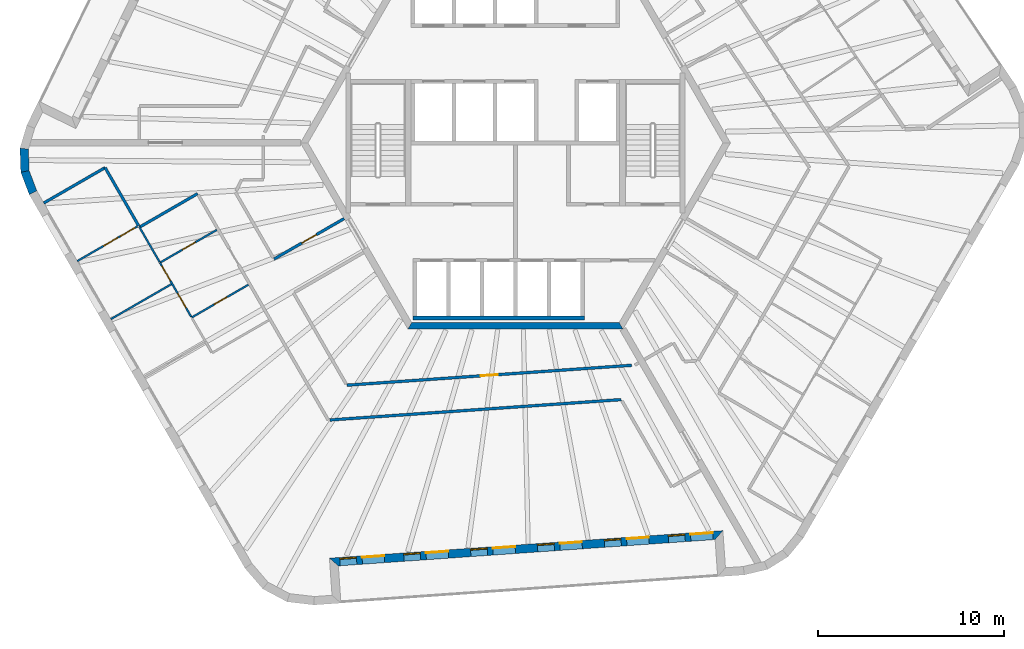
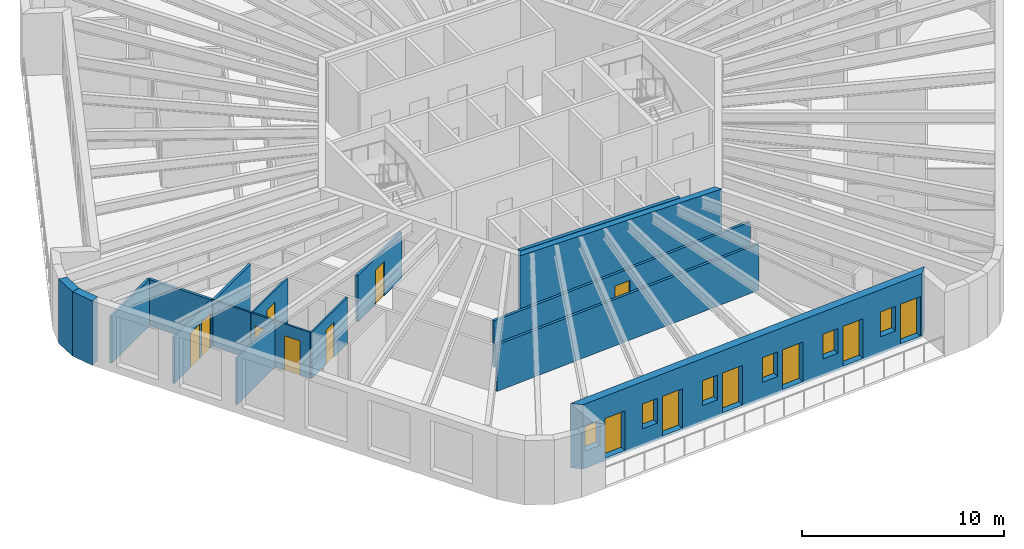
# One storey, part 3 of 11: 17 walls, 14 doors, 6 windows, 20 openings.
"""IFC4 building model written with IfcOpenShell, lengths in metres."""

from ifc_helpers import new_model, si_unit, direction, frame, frame_2d, origin, place, context, subcontext, project, spatial, polyline, rectangle, outline, extrude, material, layer, layer_set, type_object, element, fill, save


model = new_model("IFC4")

# Units and contexts
model_context = context("Model", 3, precision=1e-05, world=origin(), true_north=direction((0.0, 1.0)))
body_context = subcontext(model_context, "Body", "Model", "MODEL_VIEW")
ifc_project = project(units=[si_unit("LENGTHUNIT", "METRE"), si_unit("AREAUNIT", "SQUARE_METRE"), si_unit("VOLUMEUNIT", "CUBIC_METRE"), si_unit("PLANEANGLEUNIT", "RADIAN"), si_unit("MASSUNIT", "GRAM", prefix="KILO")], contexts=[model_context])

# Site, building, storey
site_placement = place(None, origin())
site = spatial("IfcSite", under=ifc_project, at=site_placement, CompositionType="ELEMENT")
building_placement = place(site_placement, origin())
building = spatial("IfcBuilding", under=site, at=building_placement, Name="Tarnside Tower", CompositionType="ELEMENT")
storey_placement = place(building_placement, frame((0.0, 0.0, 357.300048828125)))
storey = spatial("IfcBuildingStorey", under=building, at=storey_placement, Name="L86", CompositionType="ELEMENT", Elevation=357.300048828125)

# Wall, opening, door
ifc_material_1 = material(Name="Gypsum board partition on steel studs", Category="steel")
ifc_layer_1 = layer(ifc_material_1, 0.10009765625)
ifc_layer_set_1 = layer_set([ifc_layer_1], Name="Bathroom wall 100")
wall_type_1 = type_object("IfcWallType", Name="Bathroom wall 100", PredefinedType="PARTITIONING", material=ifc_layer_set_1)
wall_1_placement = place(storey_placement, frame((-16.03857421875, -4.67041015625, 0.0), z_axis=(0.0, 0.0, 1.0), x_axis=(-0.866031034943, -0.499990246421, 0.0)))
wall_1 = element("IfcWall", 1, at=wall_1_placement, inside=storey, type_object=wall_type_1, Name="Bathroom wall 27096", PredefinedType="PARTITIONING", context=body_context, shape_type="SweptSolid", body=[
    extrude(rectangle(XDim=3.52490234375, YDim=0.10009765625, at=frame_2d((1.762451171875, 0.0))), origin(), (0.0, 0.0, 1.0), 2.820068359375),
])
opening_1_placement = place(wall_1_placement, frame((1.324951171875, 0.0, 0.0)))
opening_1 = element("IfcOpeningElement", 2, at=opening_1_placement, cuts=wall_1, Name="Opening D-B1", PredefinedType="OPENING", context=body_context, shape_type="SweptSolid", body=[
    extrude(rectangle(XDim=0.800048828125, YDim=2.10009765625, at=frame_2d((0.39990234375, 1.050048828125))), frame((0.0, 0.06005859375, 0.0), z_axis=(0.0, -1.0, 0.0), x_axis=(1.0, 0.0, 0.0)), (0.0, 0.0, 1.0), 0.1201171875),
])
ifc_material_2 = material(Name="Timber door leaf", Category="wood")
door_type_1 = type_object("IfcDoorType", Name="Bathroom door 800", OperationType="NOTDEFINED", PredefinedType="DOOR", material=ifc_material_2)
door_1_placement = place(opening_1_placement, origin())
door_1 = element("IfcDoor", 3, at=door_1_placement, inside=storey, type_object=door_type_1, Name="Bathroom door 27023", OperationType="SINGLE_SWING_RIGHT", OverallHeight=2.10009765625, OverallWidth=0.800048828125, PredefinedType="DOOR", context=body_context, shape_type="SweptSolid", body=[
    extrude(rectangle(XDim=0.800048828125, YDim=2.10009765625, at=frame_2d((0.39990234375, 1.050048828125))), frame((0.0, 0.02490234375, 0.0), z_axis=(0.0, -1.0, 0.0), x_axis=(1.0, 0.0, 0.0)), (0.0, 0.0, 1.0), 0.050048828125),
])
fill(opening_1, door_1)

wall_2_placement = place(storey_placement, frame((-17.391357421875, -9.37744140625, 0.0), z_axis=(0.0, 0.0, 1.0), x_axis=(0.866001044215, 0.500042189638, 0.0)))
wall_2 = element("IfcWall", 4, at=wall_2_placement, inside=storey, type_object=wall_type_1, Name="Bathroom wall 27099", PredefinedType="PARTITIONING", context=body_context, shape_type="SweptSolid", body=[
    extrude(rectangle(XDim=3.525146484375, YDim=0.10009765625, at=frame_2d((1.7626953125, 0.0))), origin(), (0.0, 0.0, 1.0), 2.820068359375),
])
opening_2_placement = place(wall_2_placement, frame((1.39990234375, 0.0, 0.0)))
opening_2 = element("IfcOpeningElement", 5, at=opening_2_placement, cuts=wall_2, Name="Opening D-B1", PredefinedType="OPENING", context=body_context, shape_type="SweptSolid", body=[
    extrude(rectangle(XDim=0.800048828125, YDim=2.10009765625, at=frame_2d((0.39990234375, 1.050048828125))), frame((0.0, 0.06005859375, 0.0), z_axis=(0.0, -1.0, 0.0), x_axis=(1.0, 0.0, 0.0)), (0.0, 0.0, 1.0), 0.1201171875),
])
door_2_placement = place(opening_2_placement, origin())
door_2 = element("IfcDoor", 6, at=door_2_placement, inside=storey, type_object=door_type_1, Name="Bathroom door 27034", OperationType="SINGLE_SWING_LEFT", OverallHeight=2.10009765625, OverallWidth=0.800048828125, PredefinedType="DOOR", context=body_context, shape_type="SweptSolid", body=[
    extrude(rectangle(XDim=0.800048828125, YDim=2.10009765625, at=frame_2d((0.39990234375, 1.050048828125))), frame((0.0, 0.02490234375, 0.0), z_axis=(0.0, -1.0, 0.0), x_axis=(1.0, 0.0, 0.0)), (0.0, 0.0, 1.0), 0.050048828125),
])
fill(opening_2, door_2)

# Walls
wall_3_placement = place(storey_placement, frame((-20.1923828125, -4.52587890625, 0.0), z_axis=(0.0, 0.0, 1.0), x_axis=(0.500039660922, -0.86600250433, 0.0)))
element("IfcWall", 7, at=wall_3_placement, inside=storey, type_object=wall_type_1, Name="Bathroom wall 27100", PredefinedType="PARTITIONING", context=body_context, shape_type="SweptSolid", body=[
    extrude(rectangle(XDim=2.154052734375, YDim=0.10009765625, at=frame_2d((1.0771484375, 0.0))), origin(), (0.0, 0.0, 1.0), 2.820068359375),
])
ifc_material_3 = material(Name="Concrete C50/60", Category="concrete")
ifc_layer_2 = layer(ifc_material_3, 0.35009765625)
ifc_layer_set_2 = layer_set([ifc_layer_2], Name="Core wall Z4 350 C50/60")
wall_type_2 = type_object("IfcWallType", Name="Core wall Z4 350 C50/60", PredefinedType="SHEAR", material=ifc_layer_set_2)
wall_4_placement = place(storey_placement, frame((-5.672607421875, -9.824951171875, -0.150146484375), z_axis=(0.0, 0.0, 1.0), x_axis=(1.0, 0.0, 0.0)))
element("IfcWall", 8, at=wall_4_placement, inside=storey, type_object=wall_type_2, Name="L86 core wall face 4", PredefinedType="SHEAR", context=body_context, shape_type="SweptSolid", body=[
    extrude(outline(polyline([(-0.10107421875, -0.175048828125), (11.4462890625, -0.175048828125), (11.244140625, 0.175048828125), (0.10107421875, 0.175048828125), (-0.10107421875, -0.175048828125)])), origin(), (0.0, 0.0, 1.0), 3.900146484375),
])
ifc_layer_3 = layer(ifc_material_1, 0.14990234375)
ifc_layer_set_3 = layer_set([ifc_layer_3], Name="Corridor wall 150 EI 60")
wall_type_3 = type_object("IfcWallType", Name="Corridor wall 150 EI 60", PredefinedType="PARTITIONING", material=ifc_layer_set_3)
wall_5_placement = place(storey_placement, frame((-9.9697265625, -14.881591796875, 0.0), z_axis=(0.0, 0.0, 1.0), x_axis=(0.997564384496, 0.06975169378, 0.0)))
element("IfcWall", 9, at=wall_5_placement, inside=storey, type_object=wall_type_3, Name="Corridor wall 27025", PredefinedType="PARTITIONING", context=body_context, shape_type="SweptSolid", body=[
    extrude(rectangle(XDim=15.687744140625, YDim=0.14990234375, at=frame_2d((7.84375, 0.0))), origin(), (0.0, 0.0, 1.0), 2.820068359375),
])
wall_6_placement = place(storey_placement, frame((-20.19140625, -4.527587890625, 0.0), z_axis=(0.0, 0.0, 1.0), x_axis=(0.866018442252, 0.500012057535, 0.0)))
element("IfcWall", 10, at=wall_6_placement, inside=storey, type_object=wall_type_3, Name="Corridor wall 27029", PredefinedType="PARTITIONING", context=body_context, shape_type="SweptSolid", body=[
    extrude(rectangle(XDim=3.60009765625, YDim=0.14990234375, at=frame_2d((1.800048828125, 0.0))), origin(), (0.0, 0.0, 1.0), 2.820068359375),
])
wall_7_placement = place(storey_placement, frame((-25.3291015625, -3.228759765625, 0.0), z_axis=(0.0, 0.0, 1.0), x_axis=(0.866019695343, 0.500009887181, 0.0)))
element("IfcWall", 11, at=wall_7_placement, inside=storey, type_object=wall_type_3, Name="Corridor wall 27031", PredefinedType="PARTITIONING", context=body_context, shape_type="SweptSolid", body=[
    extrude(rectangle(XDim=3.798828125, YDim=0.14990234375, at=frame_2d((1.8994140625, 0.0))), origin(), (0.0, 0.0, 1.0), 2.820068359375),
])
wall_8_placement = place(storey_placement, frame((-22.03759765625, -1.329833984375, 0.0), z_axis=(0.0, 0.0, 1.0), x_axis=(0.499976924066, -0.866038726271, 0.0)))
element("IfcWall", 12, at=wall_8_placement, inside=storey, type_object=wall_type_3, Name="Corridor wall 27032", PredefinedType="PARTITIONING", context=body_context, shape_type="SweptSolid", body=[
    extrude(rectangle(XDim=3.598876953125, YDim=0.14990234375, at=frame_2d((1.79931640625, 0.0))), origin(), (0.0, 0.0, 1.0), 2.820068359375),
])

# Wall, opening, door
wall_9_placement = place(storey_placement, frame((-9.19970703125, -4.065673828125, 0.0), z_axis=(0.0, 0.0, 1.0), x_axis=(-0.866013608182, -0.500020430026, 0.0)))
wall_9 = element("IfcWall", 13, at=wall_9_placement, inside=storey, type_object=wall_type_3, Name="Corridor wall 27034", PredefinedType="PARTITIONING", context=body_context, shape_type="SweptSolid", body=[
    extrude(rectangle(XDim=4.349853515625, YDim=0.14990234375, at=frame_2d((2.1748046875, 0.0))), origin(), (0.0, 0.0, 1.0), 2.820068359375),
])
opening_3_placement = place(wall_9_placement, frame((1.72509765625, 0.0, 0.0)))
opening_3 = element("IfcOpeningElement", 14, at=opening_3_placement, cuts=wall_9, Name="Opening D-S1", PredefinedType="OPENING", context=body_context, shape_type="SweptSolid", body=[
    extrude(rectangle(XDim=0.89990234375, YDim=2.10009765625, at=frame_2d((0.449951171875, 1.050048828125))), frame((0.0, 0.0849609375, 0.0), z_axis=(0.0, -1.0, 0.0), x_axis=(1.0, 0.0, 0.0)), (0.0, 0.0, 1.0), 0.169921875),
])
door_type_2 = type_object("IfcDoorType", Name="Service room door 900 FD30S", OperationType="NOTDEFINED", PredefinedType="DOOR", material=ifc_material_2)
door_3_placement = place(opening_3_placement, origin())
door_3 = element("IfcDoor", 15, at=door_3_placement, inside=storey, type_object=door_type_2, Name="Service door 27061", OperationType="SINGLE_SWING_LEFT", OverallHeight=2.10009765625, OverallWidth=0.89990234375, PredefinedType="DOOR", context=body_context, shape_type="SweptSolid", body=[
    extrude(rectangle(XDim=0.89990234375, YDim=2.10009765625, at=frame_2d((0.449951171875, 1.050048828125))), frame((0.0, 0.02490234375, 0.0), z_axis=(0.0, -1.0, 0.0), x_axis=(1.0, 0.0, 0.0)), (0.0, 0.0, 1.0), 0.050048828125),
])
fill(opening_3, door_3)

wall_10_placement = place(storey_placement, frame((6.24462890625, -11.943603515625, 0.0), z_axis=(0.0, 0.0, 1.0), x_axis=(-0.997564707029, -0.069747080866, 0.0)))
wall_10 = element("IfcWall", 16, at=wall_10_placement, inside=storey, type_object=wall_type_3, Name="Corridor wall 27040", PredefinedType="PARTITIONING", context=body_context, shape_type="SweptSolid", body=[
    extrude(rectangle(XDim=15.338623046875, YDim=0.14990234375, at=frame_2d((7.66943359375, 0.0))), origin(), (0.0, 0.0, 1.0), 2.820068359375),
])
opening_4_placement = place(wall_10_placement, frame((7.21923828125, 0.0, 0.0)))
opening_4 = element("IfcOpeningElement", 17, at=opening_4_placement, cuts=wall_10, Name="Opening D-S1", PredefinedType="OPENING", context=body_context, shape_type="SweptSolid", body=[
    extrude(rectangle(XDim=0.89990234375, YDim=2.10009765625, at=frame_2d((0.449951171875, 1.050048828125))), frame((0.0, 0.0849609375, 0.0), z_axis=(0.0, -1.0, 0.0), x_axis=(1.0, 0.0, 0.0)), (0.0, 0.0, 1.0), 0.169921875),
])
door_4_placement = place(opening_4_placement, origin())
door_4 = element("IfcDoor", 18, at=door_4_placement, inside=storey, type_object=door_type_2, Name="Service door 27062", OperationType="SINGLE_SWING_RIGHT", OverallHeight=2.10009765625, OverallWidth=0.89990234375, PredefinedType="DOOR", context=body_context, shape_type="SweptSolid", body=[
    extrude(rectangle(XDim=0.89990234375, YDim=2.10009765625, at=frame_2d((0.449951171875, 1.050048828125))), frame((0.0, 0.02490234375, 0.0), z_axis=(0.0, -1.0, 0.0), x_axis=(1.0, 0.0, 0.0)), (0.0, 0.0, 1.0), 0.050048828125),
])
fill(opening_4, door_4)

# Wall
ifc_material_4 = material(Name="Concrete C40/50", Category="concrete")
ifc_layer_4 = layer(ifc_material_4, 0.199951171875)
ifc_layer_set_4 = layer_set([ifc_layer_4], Name="Lift shaft wall 200 C40/50")
wall_type_4 = type_object("IfcWallType", Name="Lift shaft wall 200 C40/50", PredefinedType="SHEAR", material=ifc_layer_set_4)
wall_11_placement = place(storey_placement, frame((-5.5, -9.39990234375, -0.25), z_axis=(0.0, 0.0, 1.0), x_axis=(1.0, 0.0, 0.0)))
element("IfcWall", 19, at=wall_11_placement, inside=storey, type_object=wall_type_4, Name="L86 lift shaft back wall R4", PredefinedType="SHEAR", context=body_context, shape_type="SweptSolid", body=[
    extrude(rectangle(XDim=9.199951171875, YDim=0.199951171875, at=frame_2d((4.60009765625, 0.0))), origin(), (0.0, 0.0, 1.0), 3.89990234375),
])

# Wall, openings, doors, windows
ifc_material_5 = material(Name="Dark zinc cladding")
ifc_layer_5 = layer(ifc_material_5, 0.10205078125)
ifc_material_6 = material(Name="Concrete C60/75 precast", Category="concrete")
ifc_layer_6 = layer(ifc_material_6, 0.248046875)
ifc_material_7 = material(Name="Mineral wool insulation")
ifc_layer_7 = layer(ifc_material_7, 0.10009765625)
ifc_layer_set_5 = layer_set([ifc_layer_5, ifc_layer_6, ifc_layer_7], Name="Loggia wall 450 zinc faced")
wall_type_5 = type_object("IfcWallType", Name="Loggia wall 450 zinc faced", PredefinedType="SOLIDWALL", material=ifc_layer_set_5)
wall_12_placement = place(storey_placement, frame((-9.7509765625, -22.510009765625, -0.150146484375), z_axis=(0.0, 0.0, 1.0), x_axis=(0.997564460173, 0.06975061147, 0.0)))
wall_12 = element("IfcWall", 20, at=wall_12_placement, inside=storey, type_object=wall_type_5, Name="Tube wall L86 F4 back 18", PredefinedType="SOLIDWALL", context=body_context, shape_type="SweptSolid", body=[
    extrude(outline(polyline([(0.224853515625, -0.22509765625), (20.5068359375, -0.22509765625), (20.95654296875, 0.22509765625), (-0.224853515625, 0.22509765625), (0.224853515625, -0.22509765625)])), origin(), (0.0, 0.0, 1.0), 3.900146484375),
])
opening_5_placement = place(wall_12_placement, frame((0.324951171875, 0.0, 1.050048828125)))
opening_5 = element("IfcOpeningElement", 21, at=opening_5_placement, cuts=wall_12, Name="Opening WL450", PredefinedType="OPENING", context=body_context, shape_type="SweptSolid", body=[
    extrude(rectangle(XDim=0.89990234375, YDim=1.5, at=frame_2d((0.449951171875, 0.75))), frame((0.0, 0.23486328125, 0.0), z_axis=(0.0, -1.0, 0.0), x_axis=(1.0, 0.0, 0.0)), (0.0, 0.0, 1.0), 0.469970703125),
])
opening_6_placement = place(wall_12_placement, frame((1.52490234375, 0.0, 0.14990234375)))
opening_6 = element("IfcOpeningElement", 22, at=opening_6_placement, cuts=wall_12, Name="Opening DB450", PredefinedType="OPENING", context=body_context, shape_type="SweptSolid", body=[
    extrude(rectangle(XDim=1.199951171875, YDim=2.39990234375, at=frame_2d((0.60009765625, 1.199951171875))), frame((0.0, 0.23486328125, 0.0), z_axis=(0.0, -1.0, 0.0), x_axis=(1.0, 0.0, 0.0)), (0.0, 0.0, 1.0), 0.469970703125),
])
opening_7_placement = place(wall_12_placement, frame((3.765869140625, 0.0, 1.050048828125)))
opening_7 = element("IfcOpeningElement", 23, at=opening_7_placement, cuts=wall_12, Name="Opening WL450", PredefinedType="OPENING", context=body_context, shape_type="SweptSolid", body=[
    extrude(rectangle(XDim=0.89990234375, YDim=1.5, at=frame_2d((0.449951171875, 0.75))), frame((0.0, 0.23486328125, 0.0), z_axis=(0.0, -1.0, 0.0), x_axis=(1.0, 0.0, 0.0)), (0.0, 0.0, 1.0), 0.469970703125),
])
opening_8_placement = place(wall_12_placement, frame((4.9658203125, 0.0, 0.14990234375)))
opening_8 = element("IfcOpeningElement", 24, at=opening_8_placement, cuts=wall_12, Name="Opening DB450", PredefinedType="OPENING", context=body_context, shape_type="SweptSolid", body=[
    extrude(rectangle(XDim=1.199951171875, YDim=2.39990234375, at=frame_2d((0.60009765625, 1.199951171875))), frame((0.0, 0.23486328125, 0.0), z_axis=(0.0, -1.0, 0.0), x_axis=(1.0, 0.0, 0.0)), (0.0, 0.0, 1.0), 0.469970703125),
])
opening_9_placement = place(wall_12_placement, frame((7.36572265625, 0.0, 1.050048828125)))
opening_9 = element("IfcOpeningElement", 25, at=opening_9_placement, cuts=wall_12, Name="Opening WL450", PredefinedType="OPENING", context=body_context, shape_type="SweptSolid", body=[
    extrude(rectangle(XDim=0.89990234375, YDim=1.5, at=frame_2d((0.449951171875, 0.75))), frame((0.0, 0.23486328125, 0.0), z_axis=(0.0, -1.0, 0.0), x_axis=(1.0, 0.0, 0.0)), (0.0, 0.0, 1.0), 0.469970703125),
])
opening_10_placement = place(wall_12_placement, frame((8.56591796875, 0.0, 0.14990234375)))
opening_10 = element("IfcOpeningElement", 26, at=opening_10_placement, cuts=wall_12, Name="Opening DB450", PredefinedType="OPENING", context=body_context, shape_type="SweptSolid", body=[
    extrude(rectangle(XDim=1.199951171875, YDim=2.39990234375, at=frame_2d((0.60009765625, 1.199951171875))), frame((0.0, 0.23486328125, 0.0), z_axis=(0.0, -1.0, 0.0), x_axis=(1.0, 0.0, 0.0)), (0.0, 0.0, 1.0), 0.469970703125),
])
opening_11_placement = place(wall_12_placement, frame((10.9658203125, 0.0, 1.050048828125)))
opening_11 = element("IfcOpeningElement", 27, at=opening_11_placement, cuts=wall_12, Name="Opening WL450", PredefinedType="OPENING", context=body_context, shape_type="SweptSolid", body=[
    extrude(rectangle(XDim=0.89990234375, YDim=1.5, at=frame_2d((0.449951171875, 0.75))), frame((0.0, 0.23486328125, 0.0), z_axis=(0.0, -1.0, 0.0), x_axis=(1.0, 0.0, 0.0)), (0.0, 0.0, 1.0), 0.469970703125),
])
opening_12_placement = place(wall_12_placement, frame((12.165771484375, 0.0, 0.14990234375)))
opening_12 = element("IfcOpeningElement", 28, at=opening_12_placement, cuts=wall_12, Name="Opening DB450", PredefinedType="OPENING", context=body_context, shape_type="SweptSolid", body=[
    extrude(rectangle(XDim=1.199951171875, YDim=2.39990234375, at=frame_2d((0.60009765625, 1.199951171875))), frame((0.0, 0.23486328125, 0.0), z_axis=(0.0, -1.0, 0.0), x_axis=(1.0, 0.0, 0.0)), (0.0, 0.0, 1.0), 0.469970703125),
])
opening_13_placement = place(wall_12_placement, frame((14.56591796875, 0.0, 1.050048828125)))
opening_13 = element("IfcOpeningElement", 29, at=opening_13_placement, cuts=wall_12, Name="Opening WL450", PredefinedType="OPENING", context=body_context, shape_type="SweptSolid", body=[
    extrude(rectangle(XDim=0.89990234375, YDim=1.5, at=frame_2d((0.449951171875, 0.75))), frame((0.0, 0.23486328125, 0.0), z_axis=(0.0, -1.0, 0.0), x_axis=(1.0, 0.0, 0.0)), (0.0, 0.0, 1.0), 0.469970703125),
])
opening_14_placement = place(wall_12_placement, frame((15.765869140625, 0.0, 0.14990234375)))
opening_14 = element("IfcOpeningElement", 30, at=opening_14_placement, cuts=wall_12, Name="Opening DB450", PredefinedType="OPENING", context=body_context, shape_type="SweptSolid", body=[
    extrude(rectangle(XDim=1.199951171875, YDim=2.39990234375, at=frame_2d((0.60009765625, 1.199951171875))), frame((0.0, 0.23486328125, 0.0), z_axis=(0.0, -1.0, 0.0), x_axis=(1.0, 0.0, 0.0)), (0.0, 0.0, 1.0), 0.469970703125),
])
opening_15_placement = place(wall_12_placement, frame((18.006591796875, 0.0, 1.050048828125)))
opening_15 = element("IfcOpeningElement", 31, at=opening_15_placement, cuts=wall_12, Name="Opening WL450", PredefinedType="OPENING", context=body_context, shape_type="SweptSolid", body=[
    extrude(rectangle(XDim=0.89990234375, YDim=1.5, at=frame_2d((0.449951171875, 0.75))), frame((0.0, 0.23486328125, 0.0), z_axis=(0.0, -1.0, 0.0), x_axis=(1.0, 0.0, 0.0)), (0.0, 0.0, 1.0), 0.469970703125),
])
opening_16_placement = place(wall_12_placement, frame((19.20654296875, 0.0, 0.14990234375)))
opening_16 = element("IfcOpeningElement", 32, at=opening_16_placement, cuts=wall_12, Name="Opening DB450", PredefinedType="OPENING", context=body_context, shape_type="SweptSolid", body=[
    extrude(rectangle(XDim=1.199951171875, YDim=2.39990234375, at=frame_2d((0.60009765625, 1.199951171875))), frame((0.0, 0.23486328125, 0.0), z_axis=(0.0, -1.0, 0.0), x_axis=(1.0, 0.0, 0.0)), (0.0, 0.0, 1.0), 0.469970703125),
])
ifc_material_8 = material(Name="Aluminium-framed double glazing", Category="aluminium")
door_type_3 = type_object("IfcDoorType", Name="Balcony sliding door 1200 x 2400 in 450 wall", OperationType="SLIDING_TO_LEFT", PredefinedType="DOOR", material=ifc_material_8)
door_5_placement = place(opening_6_placement, frame((0.0, 0.150146484375, 0.0)))
door_5 = element("IfcDoor", 33, at=door_5_placement, inside=storey, type_object=door_type_3, Name="E.BD.L86.F4.00", OperationType="SLIDING_TO_LEFT", OverallHeight=2.39990234375, OverallWidth=1.199951171875, PredefinedType="DOOR", context=body_context, shape_type="SweptSolid", body=[
    extrude(rectangle(XDim=1.199951171875, YDim=2.39990234375, at=frame_2d((0.60009765625, 1.199951171875))), frame((0.0, 0.02490234375, 0.0), z_axis=(0.0, -1.0, 0.0), x_axis=(1.0, 0.0, 0.0)), (0.0, 0.0, 1.0), 0.050048828125),
])
fill(opening_6, door_5)
door_6_placement = place(opening_8_placement, frame((0.0, 0.150146484375, 0.0)))
door_6 = element("IfcDoor", 34, at=door_6_placement, inside=storey, type_object=door_type_3, Name="E.BD.L86.F4.01", OperationType="SLIDING_TO_LEFT", OverallHeight=2.39990234375, OverallWidth=1.199951171875, PredefinedType="DOOR", context=body_context, shape_type="SweptSolid", body=[
    extrude(rectangle(XDim=1.199951171875, YDim=2.39990234375, at=frame_2d((0.60009765625, 1.199951171875))), frame((0.0, 0.02490234375, 0.0), z_axis=(0.0, -1.0, 0.0), x_axis=(1.0, 0.0, 0.0)), (0.0, 0.0, 1.0), 0.050048828125),
])
fill(opening_8, door_6)
door_7_placement = place(opening_10_placement, frame((0.0, 0.150146484375, 0.0)))
door_7 = element("IfcDoor", 35, at=door_7_placement, inside=storey, type_object=door_type_3, Name="E.BD.L86.F4.02", OperationType="SLIDING_TO_LEFT", OverallHeight=2.39990234375, OverallWidth=1.199951171875, PredefinedType="DOOR", context=body_context, shape_type="SweptSolid", body=[
    extrude(rectangle(XDim=1.199951171875, YDim=2.39990234375, at=frame_2d((0.60009765625, 1.199951171875))), frame((0.0, 0.02490234375, 0.0), z_axis=(0.0, -1.0, 0.0), x_axis=(1.0, 0.0, 0.0)), (0.0, 0.0, 1.0), 0.050048828125),
])
fill(opening_10, door_7)
door_8_placement = place(opening_12_placement, frame((0.0, 0.150146484375, 0.0)))
door_8 = element("IfcDoor", 36, at=door_8_placement, inside=storey, type_object=door_type_3, Name="E.BD.L86.F4.03", OperationType="SLIDING_TO_LEFT", OverallHeight=2.39990234375, OverallWidth=1.199951171875, PredefinedType="DOOR", context=body_context, shape_type="SweptSolid", body=[
    extrude(rectangle(XDim=1.199951171875, YDim=2.39990234375, at=frame_2d((0.60009765625, 1.199951171875))), frame((0.0, 0.02490234375, 0.0), z_axis=(0.0, -1.0, 0.0), x_axis=(1.0, 0.0, 0.0)), (0.0, 0.0, 1.0), 0.050048828125),
])
fill(opening_12, door_8)
door_9_placement = place(opening_14_placement, frame((0.0, 0.150146484375, 0.0)))
door_9 = element("IfcDoor", 37, at=door_9_placement, inside=storey, type_object=door_type_3, Name="E.BD.L86.F4.04", OperationType="SLIDING_TO_LEFT", OverallHeight=2.39990234375, OverallWidth=1.199951171875, PredefinedType="DOOR", context=body_context, shape_type="SweptSolid", body=[
    extrude(rectangle(XDim=1.199951171875, YDim=2.39990234375, at=frame_2d((0.60009765625, 1.199951171875))), frame((0.0, 0.02490234375, 0.0), z_axis=(0.0, -1.0, 0.0), x_axis=(1.0, 0.0, 0.0)), (0.0, 0.0, 1.0), 0.050048828125),
])
fill(opening_14, door_9)
door_10_placement = place(opening_16_placement, frame((0.0, 0.150146484375, 0.0)))
door_10 = element("IfcDoor", 38, at=door_10_placement, inside=storey, type_object=door_type_3, Name="E.BD.L86.F4.05", OperationType="SLIDING_TO_LEFT", OverallHeight=2.39990234375, OverallWidth=1.199951171875, PredefinedType="DOOR", context=body_context, shape_type="SweptSolid", body=[
    extrude(rectangle(XDim=1.199951171875, YDim=2.39990234375, at=frame_2d((0.60009765625, 1.199951171875))), frame((0.0, 0.02490234375, 0.0), z_axis=(0.0, -1.0, 0.0), x_axis=(1.0, 0.0, 0.0)), (0.0, 0.0, 1.0), 0.050048828125),
])
fill(opening_16, door_10)
window_type = type_object("IfcWindowType", Name="Loggia window 900 x 1500 in 450 wall", PartitioningType="SINGLE_PANEL", PredefinedType="WINDOW", material=ifc_material_8)
window_1_placement = place(opening_5_placement, frame((0.0, 0.1552734375, 0.0)))
window_1 = element("IfcWindow", 39, at=window_1_placement, inside=storey, type_object=window_type, Name="E.LW.L86.F4.00", OverallHeight=1.5, OverallWidth=0.89990234375, PartitioningType="SINGLE_PANEL", PredefinedType="WINDOW", context=body_context, shape_type="SweptSolid", body=[
    extrude(rectangle(XDim=0.89990234375, YDim=1.5, at=frame_2d((0.449951171875, 0.75))), frame((0.0, 0.030029296875, 0.0), z_axis=(0.0, -1.0, 0.0), x_axis=(1.0, 0.0, 0.0)), (0.0, 0.0, 1.0), 0.06005859375),
])
fill(opening_5, window_1)
window_2_placement = place(opening_7_placement, frame((0.0, 0.1552734375, 0.0)))
window_2 = element("IfcWindow", 40, at=window_2_placement, inside=storey, type_object=window_type, Name="E.LW.L86.F4.01", OverallHeight=1.5, OverallWidth=0.89990234375, PartitioningType="SINGLE_PANEL", PredefinedType="WINDOW", context=body_context, shape_type="SweptSolid", body=[
    extrude(rectangle(XDim=0.89990234375, YDim=1.5, at=frame_2d((0.449951171875, 0.75))), frame((0.0, 0.030029296875, 0.0), z_axis=(0.0, -1.0, 0.0), x_axis=(1.0, 0.0, 0.0)), (0.0, 0.0, 1.0), 0.06005859375),
])
fill(opening_7, window_2)
window_3_placement = place(opening_9_placement, frame((0.0, 0.1552734375, 0.0)))
window_3 = element("IfcWindow", 41, at=window_3_placement, inside=storey, type_object=window_type, Name="E.LW.L86.F4.02", OverallHeight=1.5, OverallWidth=0.89990234375, PartitioningType="SINGLE_PANEL", PredefinedType="WINDOW", context=body_context, shape_type="SweptSolid", body=[
    extrude(rectangle(XDim=0.89990234375, YDim=1.5, at=frame_2d((0.449951171875, 0.75))), frame((0.0, 0.030029296875, 0.0), z_axis=(0.0, -1.0, 0.0), x_axis=(1.0, 0.0, 0.0)), (0.0, 0.0, 1.0), 0.06005859375),
])
fill(opening_9, window_3)
window_4_placement = place(opening_11_placement, frame((0.0, 0.1552734375, 0.0)))
window_4 = element("IfcWindow", 42, at=window_4_placement, inside=storey, type_object=window_type, Name="E.LW.L86.F4.03", OverallHeight=1.5, OverallWidth=0.89990234375, PartitioningType="SINGLE_PANEL", PredefinedType="WINDOW", context=body_context, shape_type="SweptSolid", body=[
    extrude(rectangle(XDim=0.89990234375, YDim=1.5, at=frame_2d((0.449951171875, 0.75))), frame((0.0, 0.030029296875, 0.0), z_axis=(0.0, -1.0, 0.0), x_axis=(1.0, 0.0, 0.0)), (0.0, 0.0, 1.0), 0.06005859375),
])
fill(opening_11, window_4)
window_5_placement = place(opening_13_placement, frame((0.0, 0.1552734375, 0.0)))
window_5 = element("IfcWindow", 43, at=window_5_placement, inside=storey, type_object=window_type, Name="E.LW.L86.F4.04", OverallHeight=1.5, OverallWidth=0.89990234375, PartitioningType="SINGLE_PANEL", PredefinedType="WINDOW", context=body_context, shape_type="SweptSolid", body=[
    extrude(rectangle(XDim=0.89990234375, YDim=1.5, at=frame_2d((0.449951171875, 0.75))), frame((0.0, 0.030029296875, 0.0), z_axis=(0.0, -1.0, 0.0), x_axis=(1.0, 0.0, 0.0)), (0.0, 0.0, 1.0), 0.06005859375),
])
fill(opening_13, window_5)
window_6_placement = place(opening_15_placement, frame((0.0, 0.1552734375, 0.0)))
window_6 = element("IfcWindow", 44, at=window_6_placement, inside=storey, type_object=window_type, Name="E.LW.L86.F4.05", OverallHeight=1.5, OverallWidth=0.89990234375, PartitioningType="SINGLE_PANEL", PredefinedType="WINDOW", context=body_context, shape_type="SweptSolid", body=[
    extrude(rectangle(XDim=0.89990234375, YDim=1.5, at=frame_2d((0.449951171875, 0.75))), frame((0.0, 0.030029296875, 0.0), z_axis=(0.0, -1.0, 0.0), x_axis=(1.0, 0.0, 0.0)), (0.0, 0.0, 1.0), 0.06005859375),
])
fill(opening_15, window_6)

# Wall, openings, doors
ifc_layer_8 = layer(ifc_material_1, 0.10009765625)
ifc_layer_set_6 = layer_set([ifc_layer_8], Name="Partition 100")
wall_type_6 = type_object("IfcWallType", Name="Partition 100", PredefinedType="PARTITIONING", material=ifc_layer_set_6)
wall_13_placement = place(storey_placement, frame((-19.09228515625, -6.43115234375, 0.0), z_axis=(0.0, 0.0, 1.0), x_axis=(0.500014404596, -0.866017087127, 0.0)))
wall_13 = element("IfcWall", 45, at=wall_13_placement, inside=storey, type_object=wall_type_6, Name="Partition wall 27097", PredefinedType="PARTITIONING", context=body_context, shape_type="SweptSolid", body=[
    extrude(rectangle(XDim=3.35400390625, YDim=0.10009765625, at=frame_2d((1.677001953125, 0.0))), origin(), (0.0, 0.0, 1.0), 2.820068359375),
])
opening_17_placement = place(wall_13_placement, frame((0.208251953125, 0.0, 0.0)))
opening_17 = element("IfcOpeningElement", 46, at=opening_17_placement, cuts=wall_13, Name="Opening D-I1", PredefinedType="OPENING", context=body_context, shape_type="SweptSolid", body=[
    extrude(rectangle(XDim=0.89990234375, YDim=2.10009765625, at=frame_2d((0.449951171875, 1.050048828125))), frame((0.0, 0.06005859375, 0.0), z_axis=(0.0, -1.0, 0.0), x_axis=(1.0, 0.0, 0.0)), (0.0, 0.0, 1.0), 0.1201171875),
])
opening_18_placement = place(wall_13_placement, frame((1.905029296875, 0.0, 0.0)))
opening_18 = element("IfcOpeningElement", 47, at=opening_18_placement, cuts=wall_13, Name="Opening D-I1", PredefinedType="OPENING", context=body_context, shape_type="SweptSolid", body=[
    extrude(rectangle(XDim=0.89990234375, YDim=2.10009765625, at=frame_2d((0.449951171875, 1.050048828125))), frame((0.0, 0.06005859375, 0.0), z_axis=(0.0, -1.0, 0.0), x_axis=(1.0, 0.0, 0.0)), (0.0, 0.0, 1.0), 0.1201171875),
])
door_type_4 = type_object("IfcDoorType", Name="Internal door 900", OperationType="NOTDEFINED", PredefinedType="DOOR", material=ifc_material_2)
door_11_placement = place(opening_17_placement, origin())
door_11 = element("IfcDoor", 48, at=door_11_placement, inside=storey, type_object=door_type_4, Name="Internal door 27026", OperationType="SINGLE_SWING_LEFT", OverallHeight=2.10009765625, OverallWidth=0.89990234375, PredefinedType="DOOR", context=body_context, shape_type="SweptSolid", body=[
    extrude(rectangle(XDim=0.89990234375, YDim=2.10009765625, at=frame_2d((0.449951171875, 1.050048828125))), frame((0.0, 0.02490234375, 0.0), z_axis=(0.0, -1.0, 0.0), x_axis=(1.0, 0.0, 0.0)), (0.0, 0.0, 1.0), 0.050048828125),
])
fill(opening_17, door_11)
door_12_placement = place(opening_18_placement, origin())
door_12 = element("IfcDoor", 49, at=door_12_placement, inside=storey, type_object=door_type_4, Name="Internal door 27033", OperationType="SINGLE_SWING_LEFT", OverallHeight=2.10009765625, OverallWidth=0.89990234375, PredefinedType="DOOR", context=body_context, shape_type="SweptSolid", body=[
    extrude(rectangle(XDim=0.89990234375, YDim=2.10009765625, at=frame_2d((0.449951171875, 1.050048828125))), frame((0.0, 0.02490234375, 0.0), z_axis=(0.0, -1.0, 0.0), x_axis=(1.0, 0.0, 0.0)), (0.0, 0.0, 1.0), 0.050048828125),
])
fill(opening_18, door_12)

wall_14_placement = place(storey_placement, frame((-23.529052734375, -6.346435546875, 0.0), z_axis=(0.0, 0.0, 1.0), x_axis=(0.866012039196, 0.500023147432, 0.0)))
wall_14 = element("IfcWall", 50, at=wall_14_placement, inside=storey, type_object=wall_type_6, Name="Partition wall 27101", PredefinedType="PARTITIONING", context=body_context, shape_type="SweptSolid", body=[
    extrude(rectangle(XDim=3.724853515625, YDim=0.10009765625, at=frame_2d((1.8623046875, 0.0))), origin(), (0.0, 0.0, 1.0), 2.820068359375),
])
opening_19_placement = place(wall_14_placement, frame((2.675048828125, 0.0, 0.0)))
opening_19 = element("IfcOpeningElement", 51, at=opening_19_placement, cuts=wall_14, Name="Opening D-I1", PredefinedType="OPENING", context=body_context, shape_type="SweptSolid", body=[
    extrude(rectangle(XDim=0.89990234375, YDim=2.10009765625, at=frame_2d((0.449951171875, 1.050048828125))), frame((0.0, 0.06005859375, 0.0), z_axis=(0.0, -1.0, 0.0), x_axis=(1.0, 0.0, 0.0)), (0.0, 0.0, 1.0), 0.1201171875),
])
opening_20_placement = place(wall_14_placement, frame((1.625, 0.0, 0.0)))
opening_20 = element("IfcOpeningElement", 52, at=opening_20_placement, cuts=wall_14, Name="Opening D-I1", PredefinedType="OPENING", context=body_context, shape_type="SweptSolid", body=[
    extrude(rectangle(XDim=0.89990234375, YDim=2.10009765625, at=frame_2d((0.449951171875, 1.050048828125))), frame((0.0, 0.06005859375, 0.0), z_axis=(0.0, -1.0, 0.0), x_axis=(1.0, 0.0, 0.0)), (0.0, 0.0, 1.0), 0.1201171875),
])
door_13_placement = place(opening_19_placement, origin())
door_13 = element("IfcDoor", 53, at=door_13_placement, inside=storey, type_object=door_type_4, Name="Internal door 27029", OperationType="SINGLE_SWING_RIGHT", OverallHeight=2.10009765625, OverallWidth=0.89990234375, PredefinedType="DOOR", context=body_context, shape_type="SweptSolid", body=[
    extrude(rectangle(XDim=0.89990234375, YDim=2.10009765625, at=frame_2d((0.449951171875, 1.050048828125))), frame((0.0, 0.02490234375, 0.0), z_axis=(0.0, -1.0, 0.0), x_axis=(1.0, 0.0, 0.0)), (0.0, 0.0, 1.0), 0.050048828125),
])
fill(opening_19, door_13)
door_14_placement = place(opening_20_placement, origin())
door_14 = element("IfcDoor", 54, at=door_14_placement, inside=storey, type_object=door_type_4, Name="Internal door 27032", OperationType="SINGLE_SWING_LEFT", OverallHeight=2.10009765625, OverallWidth=0.89990234375, PredefinedType="DOOR", context=body_context, shape_type="SweptSolid", body=[
    extrude(rectangle(XDim=0.89990234375, YDim=2.10009765625, at=frame_2d((0.449951171875, 1.050048828125))), frame((0.0, 0.02490234375, 0.0), z_axis=(0.0, -1.0, 0.0), x_axis=(1.0, 0.0, 0.0)), (0.0, 0.0, 1.0), 0.050048828125),
])
fill(opening_20, door_14)

# Walls
wall_15_placement = place(storey_placement, frame((-21.72900390625, -9.464111328125, 0.0), z_axis=(0.0, 0.0, 1.0), x_axis=(0.866022959057, 0.500004234368, 0.0)))
element("IfcWall", 55, at=wall_15_placement, inside=storey, type_object=wall_type_6, Name="Partition wall 27102", PredefinedType="PARTITIONING", context=body_context, shape_type="SweptSolid", body=[
    extrude(rectangle(XDim=3.75, YDim=0.10009765625, at=frame_2d((1.875, 0.0))), origin(), (0.0, 0.0, 1.0), 2.820068359375),
])
ifc_material_9 = material(Name="Facing brick", Category="masonry")
ifc_layer_9 = layer(ifc_material_9, 0.10205078125)
ifc_layer_10 = layer(ifc_material_6, 0.248046875)
ifc_layer_11 = layer(ifc_material_7, 0.10009765625)
ifc_layer_set_7 = layer_set([ifc_layer_9, ifc_layer_10, ifc_layer_11], Name="Tube wall 450 brick faced")
wall_type_7 = type_object("IfcWallType", Name="Tube wall 450 brick faced", PredefinedType="SOLIDWALL", material=ifc_layer_set_7)
wall_16_placement = place(storey_placement, frame((-26.3818359375, -0.30859375, -0.150146484375), z_axis=(0.0, 0.0, 1.0), x_axis=(0.034887984255, -0.999391228976, 0.0)))
element("IfcWall", 56, at=wall_16_placement, inside=storey, type_object=wall_type_7, Name="Tube wall L86 F2 chord 10", PredefinedType="SOLIDWALL", context=body_context, shape_type="SweptSolid", body=[
    extrude(outline(polyline([(-0.036865234375, -0.22509765625), (1.261474609375, -0.22509765625), (1.187744140625, 0.22509765625), (0.036865234375, 0.22509765625), (-0.036865234375, -0.22509765625)])), origin(), (0.0, 0.0, 1.0), 3.900146484375),
])
wall_17_placement = place(storey_placement, frame((-26.339111328125, -1.532470703125, -0.150146484375), z_axis=(0.0, 0.0, 1.0), x_axis=(0.353132996235, -0.935573132882, 0.0)))
element("IfcWall", 57, at=wall_17_placement, inside=storey, type_object=wall_type_7, Name="Tube wall L86 F2 chord 11", PredefinedType="SOLIDWALL", context=body_context, shape_type="SweptSolid", body=[
    extrude(outline(polyline([(-0.036865234375, -0.22509765625), (1.24267578125, -0.22509765625), (1.2060546875, 0.22509765625), (0.036865234375, 0.22509765625), (-0.036865234375, -0.22509765625)])), origin(), (0.0, 0.0, 1.0), 3.900146484375),
])

save(model, "model.ifc")
